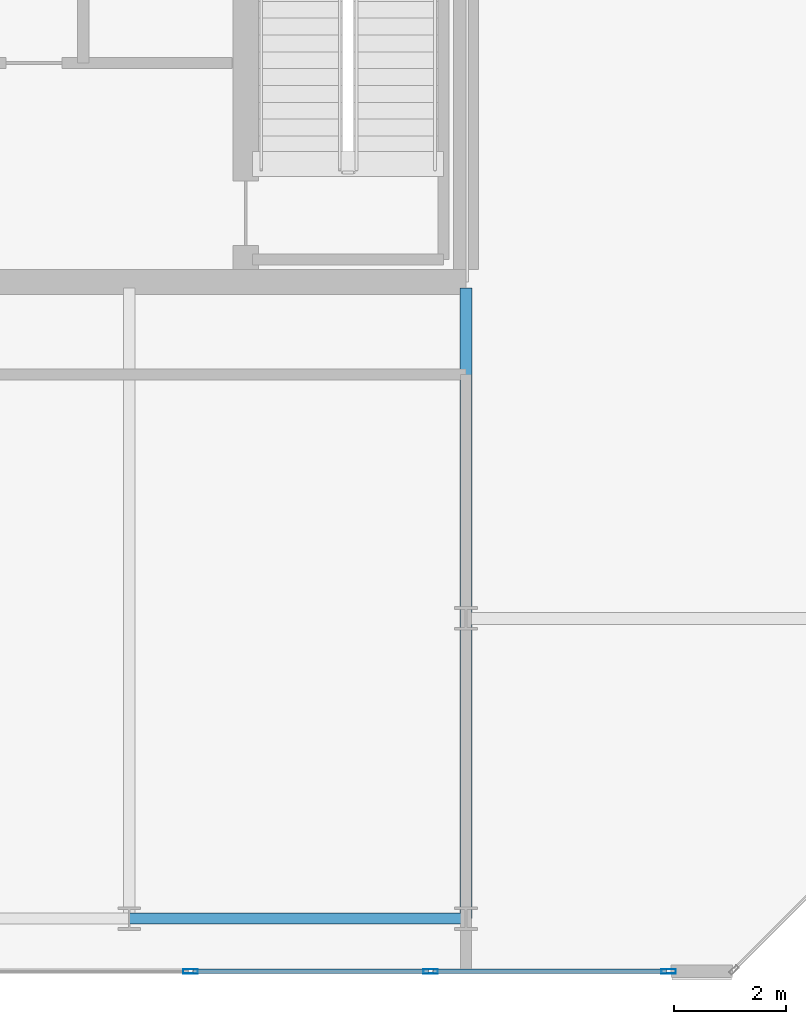
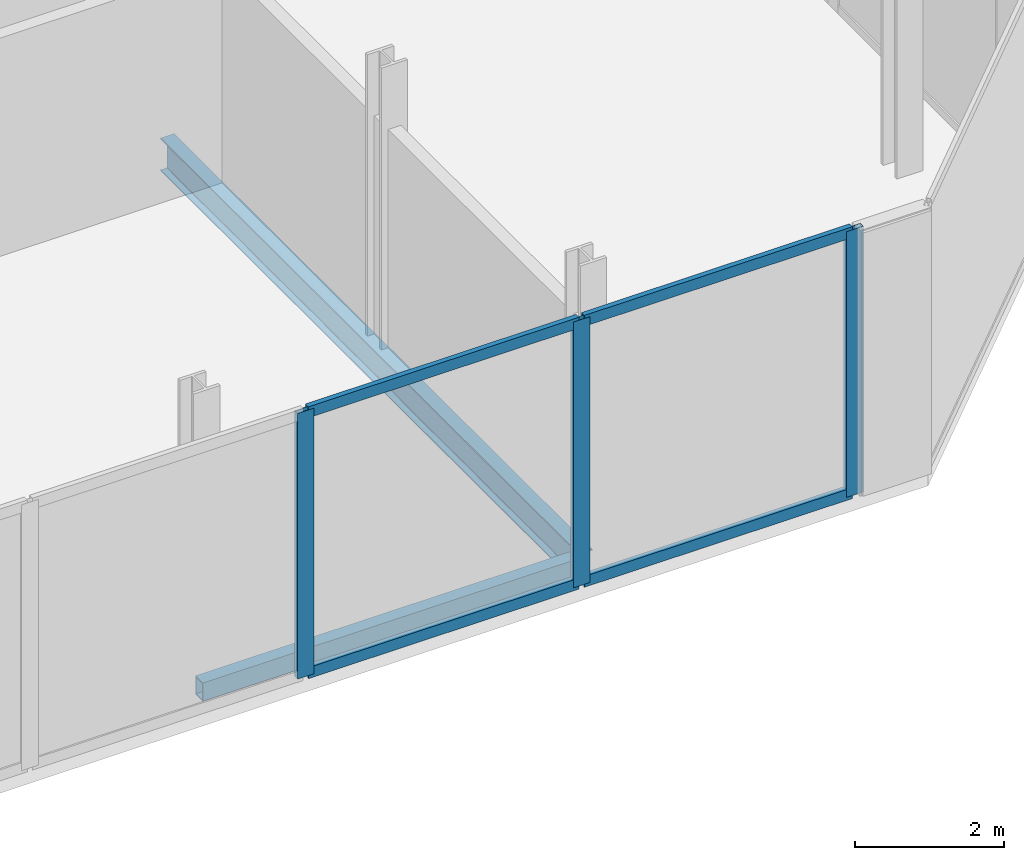
# One storey, part 6 of 16: 7 members, 2 beams, 1 element without a shape of its own.
"""IFC4 building model written with IfcOpenShell, lengths in metres."""

from ifc_helpers import new_model, si_unit, direction, frame, origin, origin_2d, place, context, subcontext, project, spatial, hollow_rectangle, i_section, extrude, material, layer, layer_set, material_profile, profile_set, type_object, element, aggregate, save


model = new_model("IFC4")

# Units and contexts
model_context = context("Model", 3, precision=1e-05, world=origin(), true_north=direction((0.0, 1.0)))
body_context = subcontext(model_context, "Body", "Model", "MODEL_VIEW")
ifc_project = project(units=[si_unit("LENGTHUNIT", "METRE"), si_unit("AREAUNIT", "SQUARE_METRE"), si_unit("VOLUMEUNIT", "CUBIC_METRE"), si_unit("PLANEANGLEUNIT", "RADIAN"), si_unit("MASSUNIT", "GRAM", prefix="KILO")], contexts=[model_context])

# Site, building, storey
site_placement = place(None, origin())
site = spatial("IfcSite", under=ifc_project, at=site_placement, CompositionType="ELEMENT")
building_placement = place(site_placement, origin())
building = spatial("IfcBuilding", under=site, at=building_placement, Name="Tanjung Sevakor Pilgrim Tower", CompositionType="ELEMENT")
storey_placement = place(building_placement, frame((0.0, 0.0, 283.139892578125)))
storey = spatial("IfcBuildingStorey", under=building, at=storey_placement, Name="L79", CompositionType="ELEMENT", Elevation=283.139892578125)

# Beams
ifc_material_1 = material(Name="Steel S355J2", Category="steel")
ifc_material_profile_1 = material_profile(ifc_material_1, i_section(OverallWidth=0.210693359375, OverallDepth=0.53955078125, WebThickness=0.01171875, FlangeThickness=0.018798828125, FilletRadius=0.0126953125, at=origin_2d()))
ifc_profile_set_1 = profile_set([ifc_material_profile_1], Name="Steel S355J2")
beam_type_1 = type_object("IfcBeamType", Name="BM-B-G6-UB_533x210x109", PredefinedType="BEAM", material=ifc_profile_set_1)
beam_1_placement = place(storey_placement, frame((90.0, 13.25, -0.529541015625), z_axis=(0.0, 1.0, 0.0), x_axis=(-1.0, 0.0, 0.0)))
element("IfcBeam", 1, at=beam_1_placement, inside=storey, type_object=beam_type_1, Name="L79 EAST Girder 009", PredefinedType="BEAM", context=body_context, shape_type="SweptSolid", body=[
    extrude(i_section(OverallWidth=0.210693359375, OverallDepth=0.53955078125, WebThickness=0.01171875, FlangeThickness=0.018798828125, FilletRadius=0.0126953125, at=origin_2d()), origin(), (0.0, 0.0, 1.0), 11.243896484375),
])
ifc_material_2 = material(Name="Steel S355J2", Category="steel")
ifc_material_profile_2 = material_profile(ifc_material_2, hollow_rectangle(XDim=0.199951171875, YDim=0.300048828125, WallThickness=0.012451171875, at=origin_2d()))
ifc_profile_set_2 = profile_set([ifc_material_profile_2], Name="Steel S355J2")
beam_type_2 = type_object("IfcBeamType", Name="BM-B-SP3-RHS_300x200x12.5", PredefinedType="SPANDREL", material=ifc_profile_set_2)
beam_2_placement = place(storey_placement, frame((84.0, 13.25, -0.409912109375), z_axis=(1.0, 0.0, 0.0), x_axis=(0.0, 1.0, 0.0)))
element("IfcBeam", 2, at=beam_2_placement, inside=storey, type_object=beam_type_2, Name="L79 Spandrel EAST S-05", PredefinedType="SPANDREL", context=body_context, shape_type="SweptSolid", body=[
    extrude(hollow_rectangle(XDim=0.199951171875, YDim=0.300048828125, WallThickness=0.012451171875, at=origin_2d()), origin(), (0.0, 0.0, 1.0), 6.0),
])

# Curtain wall, members
ifc_material_3 = material(Name="Aluminium 6063-T6 and Low-E Glass", Category="aluminium")
ifc_layer = layer(ifc_material_3, 0.219970703125)
ifc_layer_set = layer_set([ifc_layer], Name="CW-SYS-CRNE")
curtain_wall_type = type_object("IfcCurtainWallType", Name="CW-SYS-CRNE", PredefinedType="NOTDEFINED", material=ifc_layer_set)
curtain_wall_placement = place(storey_placement, origin())
curtain_wall = element("IfcCurtainWall", 3, at=curtain_wall_placement, inside=storey, type_object=curtain_wall_type, Name="L79 Curtain Wall CW-CRN-L79-EAST-0-1", PredefinedType="NOTDEFINED")
ifc_material_4 = material(Name="Aluminium 6063-T6", Category="aluminium")
ifc_material_profile_3 = material_profile(ifc_material_4, hollow_rectangle(XDim=0.080078125, YDim=0.260009765625, WallThickness=0.0048828125, at=origin_2d()))
ifc_profile_set_3 = profile_set([ifc_material_profile_3], Name="Aluminium 6063-T6")
member_type_1 = type_object("IfcMemberType", Name="TYPE-CWM-3", PredefinedType="MULLION", material=ifc_profile_set_3)
member_1_placement = place(storey_placement, frame((85.0908203125, 12.31005859375, 0.0), z_axis=(0.0, 0.0, 1.0), x_axis=(0.0, 1.0, 0.0)))
member_1 = element("IfcMember", 4, at=member_1_placement, type_object=member_type_1, Name="CW-CRE mullion 4", PredefinedType="MULLION", context=body_context, shape_type="SweptSolid", body=[
    extrude(hollow_rectangle(XDim=0.080078125, YDim=0.260009765625, WallThickness=0.0048828125, at=origin_2d()), origin(), (0.0, 0.0, 1.0), 4.360107421875),
])
member_2_placement = place(storey_placement, frame((89.37255859375, 12.31005859375, 0.0), z_axis=(0.0, 0.0, 1.0), x_axis=(0.0, 1.0, 0.0)))
member_2 = element("IfcMember", 5, at=member_2_placement, type_object=member_type_1, Name="CW-CRE mullion 5", PredefinedType="MULLION", context=body_context, shape_type="SweptSolid", body=[
    extrude(hollow_rectangle(XDim=0.080078125, YDim=0.260009765625, WallThickness=0.0048828125, at=origin_2d()), origin(), (0.0, 0.0, 1.0), 4.360107421875),
])
member_3_placement = place(storey_placement, frame((93.614501953125, 12.31005859375, 0.0), z_axis=(0.0, 0.0, 1.0), x_axis=(0.0, 1.0, 0.0)))
member_3 = element("IfcMember", 6, at=member_3_placement, type_object=member_type_1, Name="CW-CRE mullion 6", PredefinedType="MULLION", context=body_context, shape_type="SweptSolid", body=[
    extrude(hollow_rectangle(XDim=0.080078125, YDim=0.260009765625, WallThickness=0.0048828125, at=origin_2d()), origin(), (0.0, 0.0, 1.0), 4.360107421875),
])
ifc_material_5 = material(Name="Aluminium 6063-T6", Category="aluminium")
ifc_material_profile_4 = material_profile(ifc_material_5, hollow_rectangle(XDim=0.080078125, YDim=0.179931640625, WallThickness=0.0048828125, at=origin_2d()))
ifc_profile_set_4 = profile_set([ifc_material_profile_4], Name="Aluminium 6063-T6")
member_type_2 = type_object("IfcMemberType", Name="TYPE-CWT-3", PredefinedType="USERDEFINED", material=ifc_profile_set_4)
member_4_placement = place(storey_placement, frame((85.130859375, 12.31005859375, 0.0400390625), z_axis=(1.0, 0.0, 0.0), x_axis=(0.0, 1.0, 0.0)))
member_4 = element("IfcMember", 7, at=member_4_placement, type_object=member_type_2, Name="CW-CRE transom 4.1", ObjectType="TRANSOM", PredefinedType="USERDEFINED", context=body_context, shape_type="SweptSolid", body=[
    extrude(hollow_rectangle(XDim=0.080078125, YDim=0.179931640625, WallThickness=0.0048828125, at=origin_2d()), origin(), (0.0, 0.0, 1.0), 4.20166015625),
])
member_5_placement = place(storey_placement, frame((85.130859375, 12.31005859375, 4.320068359375), z_axis=(1.0, 0.0, 0.0), x_axis=(0.0, 1.0, 0.0)))
member_5 = element("IfcMember", 8, at=member_5_placement, type_object=member_type_2, Name="CW-CRE transom 4.2", ObjectType="TRANSOM", PredefinedType="USERDEFINED", context=body_context, shape_type="SweptSolid", body=[
    extrude(hollow_rectangle(XDim=0.080078125, YDim=0.179931640625, WallThickness=0.0048828125, at=origin_2d()), origin(), (0.0, 0.0, 1.0), 4.20166015625),
])
member_6_placement = place(storey_placement, frame((89.41259765625, 12.31005859375, 0.0400390625), z_axis=(1.0, 0.0, 0.0), x_axis=(0.0, 1.0, 0.0)))
member_6 = element("IfcMember", 9, at=member_6_placement, type_object=member_type_2, Name="CW-CRE transom 5.1", ObjectType="TRANSOM", PredefinedType="USERDEFINED", context=body_context, shape_type="SweptSolid", body=[
    extrude(hollow_rectangle(XDim=0.080078125, YDim=0.179931640625, WallThickness=0.0048828125, at=origin_2d()), origin(), (0.0, 0.0, 1.0), 4.161865234375),
])
member_7_placement = place(storey_placement, frame((89.41259765625, 12.31005859375, 4.320068359375), z_axis=(1.0, 0.0, 0.0), x_axis=(0.0, 1.0, 0.0)))
member_7 = element("IfcMember", 10, at=member_7_placement, type_object=member_type_2, Name="CW-CRE transom 5.2", ObjectType="TRANSOM", PredefinedType="USERDEFINED", context=body_context, shape_type="SweptSolid", body=[
    extrude(hollow_rectangle(XDim=0.080078125, YDim=0.179931640625, WallThickness=0.0048828125, at=origin_2d()), origin(), (0.0, 0.0, 1.0), 4.161865234375),
])
aggregate(curtain_wall, [member_1, member_2, member_3, member_4, member_5, member_6, member_7])

save(model, "model.ifc")
